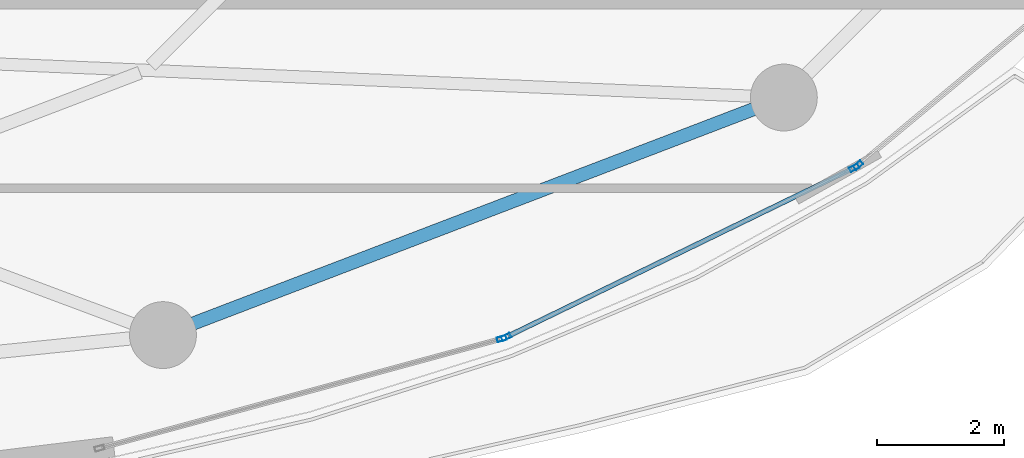
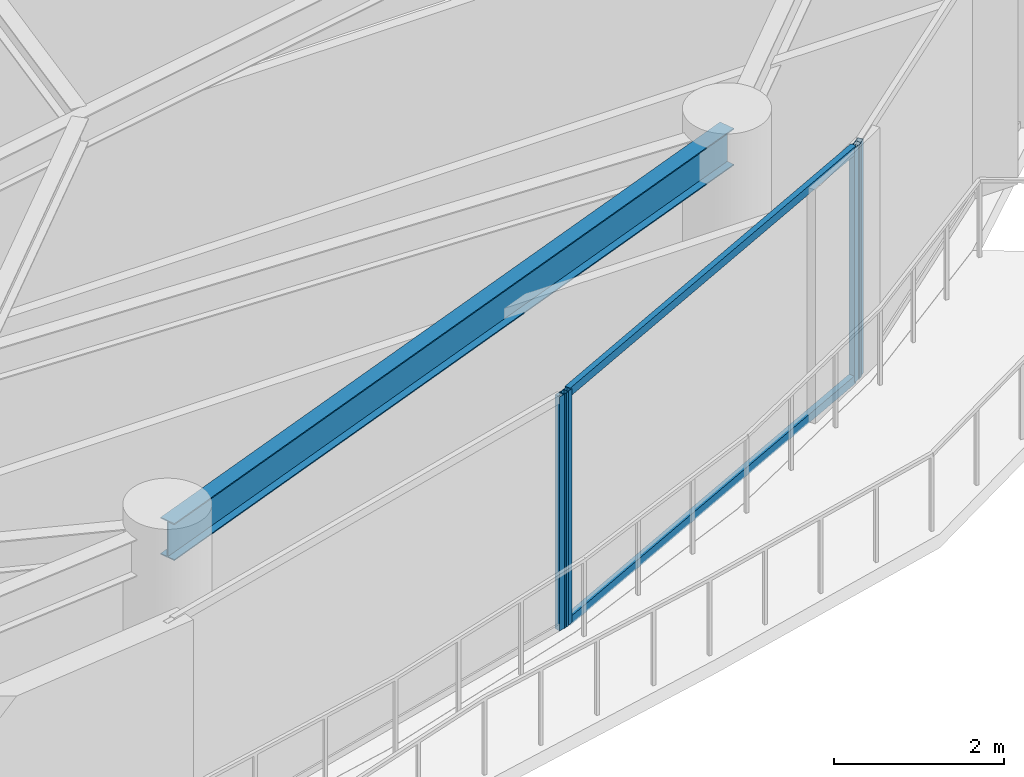
# One storey, part 13 of 31: 6 members, 1 beam, 3 elements without a shape of their own.
"""IFC4 building model written with IfcOpenShell, lengths in metres."""

from ifc_helpers import new_model, si_unit, direction, frame, origin, origin_2d, place, context, subcontext, project, spatial, hollow_rectangle, i_section, extrude, material, layer, layer_set, material_profile, profile_set, type_object, element, aggregate, save


model = new_model("IFC4")

# Units and contexts
model_context = context("Model", 3, precision=1e-05, world=origin(), true_north=direction((0.0, 1.0)))
body_context = subcontext(model_context, "Body", "Model", "MODEL_VIEW")
ifc_project = project(units=[si_unit("LENGTHUNIT", "METRE"), si_unit("AREAUNIT", "SQUARE_METRE"), si_unit("VOLUMEUNIT", "CUBIC_METRE"), si_unit("PLANEANGLEUNIT", "RADIAN"), si_unit("MASSUNIT", "GRAM", prefix="KILO")], contexts=[model_context])

# Site, building, storey
site_placement = place(None, origin())
site = spatial("IfcSite", under=ifc_project, at=site_placement, CompositionType="ELEMENT")
building_placement = place(site_placement, origin())
building = spatial("IfcBuilding", under=site, at=building_placement, Name="Kazevale Care Tower and Concert Hall", CompositionType="ELEMENT")
storey_placement = place(building_placement, frame((0.0, 0.0, 238.800048828125)))
storey = spatial("IfcBuildingStorey", under=building, at=storey_placement, Name="L63", CompositionType="ELEMENT", Elevation=238.800048828125)

# Curtain wall, member
ifc_material_1 = material(Name="Aluminium 6063-T6 and Low-E Glass", Category="aluminium")
ifc_layer = layer(ifc_material_1, 0.179931640625)
ifc_layer_set = layer_set([ifc_layer], Name="Aluminium 6063-T6 and Low-E Glass")
curtain_wall_type = type_object("IfcCurtainWallType", Name="Sheltered Concave Balcony Curtain Wall CW-5", PredefinedType="NOTDEFINED", material=ifc_layer_set)
curtain_wall_1_placement = place(storey_placement, origin())
curtain_wall_1 = element("IfcCurtainWall", 1, at=curtain_wall_1_placement, inside=storey, type_object=curtain_wall_type, Name="cw:L63:f02", PredefinedType="NOTDEFINED")
ifc_material_2 = material(Name="Aluminium 6063-T6", Category="aluminium")
ifc_material_profile_1 = material_profile(ifc_material_2, hollow_rectangle(XDim=0.074951171875, YDim=0.14990234375, WallThickness=0.00390625, at=origin_2d()), Name="ALU75x150x4")
ifc_profile_set_1 = profile_set([ifc_material_profile_1], Name="Aluminium 6063-T6")
member_type_1 = type_object("IfcMemberType", Name="CW-5 Mullion ALU75x150x4", PredefinedType="MULLION", material=ifc_profile_set_1)
member_1_placement = place(storey_placement, frame((67.417724609375, 21.5869140625, 0.0), z_axis=(0.0, 0.0, 1.0), x_axis=(0.639961217204, -0.768407210062, 0.0)))
member_1 = element("IfcMember", 2, at=member_1_placement, type_object=member_type_1, Name="CW-5 mullion 2", PredefinedType="MULLION", context=body_context, shape_type="SweptSolid", body=[
    extrude(hollow_rectangle(XDim=0.074951171875, YDim=0.14990234375, WallThickness=0.00390625, at=origin_2d()), origin(), (0.0, 0.0, 1.0), 3.35986328125),
])
aggregate(curtain_wall_1, [member_1])

# Curtain wall, members
curtain_wall_2_placement = place(storey_placement, origin())
curtain_wall_2 = element("IfcCurtainWall", 3, at=curtain_wall_2_placement, inside=storey, type_object=curtain_wall_type, Name="cw:L63:f03", PredefinedType="NOTDEFINED")
member_2_placement = place(storey_placement, frame((67.355224609375, 21.546630859375, 0.0), z_axis=(0.0, 0.0, 1.0), x_axis=(0.437238357087, -0.89934566163, 0.0)))
member_2 = element("IfcMember", 4, at=member_2_placement, type_object=member_type_1, Name="CW-5 mullion 1", PredefinedType="MULLION", context=body_context, shape_type="SweptSolid", body=[
    extrude(hollow_rectangle(XDim=0.074951171875, YDim=0.14990234375, WallThickness=0.00390625, at=origin_2d()), origin(), (0.0, 0.0, 1.0), 3.35986328125),
])
member_3_placement = place(storey_placement, frame((61.8896484375, 18.889404296875, 0.0), z_axis=(0.0, 0.0, 1.0), x_axis=(0.437238357087, -0.89934566163, 0.0)))
member_3 = element("IfcMember", 5, at=member_3_placement, type_object=member_type_1, Name="CW-5 mullion 2", PredefinedType="MULLION", context=body_context, shape_type="SweptSolid", body=[
    extrude(hollow_rectangle(XDim=0.074951171875, YDim=0.14990234375, WallThickness=0.00390625, at=origin_2d()), origin(), (0.0, 0.0, 1.0), 3.35986328125),
])

# Curtain wall, member
curtain_wall_3_placement = place(storey_placement, origin())
curtain_wall_3 = element("IfcCurtainWall", 6, at=curtain_wall_3_placement, inside=storey, type_object=curtain_wall_type, Name="cw:L63:f04", PredefinedType="NOTDEFINED")
member_4_placement = place(storey_placement, frame((61.81982421875, 18.863037109375, 0.0), z_axis=(0.0, 0.0, 1.0), x_axis=(0.262848968947, -0.964836991167, 0.0)))
member_4 = element("IfcMember", 7, at=member_4_placement, type_object=member_type_1, Name="CW-5 mullion 1", PredefinedType="MULLION", context=body_context, shape_type="SweptSolid", body=[
    extrude(hollow_rectangle(XDim=0.074951171875, YDim=0.14990234375, WallThickness=0.00390625, at=origin_2d()), origin(), (0.0, 0.0, 1.0), 3.35986328125),
])
aggregate(curtain_wall_3, [member_4])

# Member
ifc_material_profile_2 = material_profile(ifc_material_2, hollow_rectangle(XDim=0.074951171875, YDim=0.1201171875, WallThickness=0.00390625, at=origin_2d()), Name="ALU75x120x4")
ifc_profile_set_2 = profile_set([ifc_material_profile_2], Name="Aluminium 6063-T6")
member_type_2 = type_object("IfcMemberType", Name="CW-5 Transom ALU75x120x4", PredefinedType="USERDEFINED", material=ifc_profile_set_2)
member_5_placement = place(storey_placement, frame((67.321533203125, 21.5302734375, 0.037353515625), z_axis=(-0.899342308406, -0.437245254189, 0.0), x_axis=(0.437245254189, -0.899342308406, 0.0)))
member_5 = element("IfcMember", 8, at=member_5_placement, type_object=member_type_2, Name="CW-5 transom 1.1", ObjectType="TRANSOM", PredefinedType="USERDEFINED", context=body_context, shape_type="SweptSolid", body=[
    extrude(hollow_rectangle(XDim=0.074951171875, YDim=0.1201171875, WallThickness=0.00390625, at=origin_2d()), origin(), (0.0, 0.0, 1.0), 6.00244140625),
])

member_6_placement = place(storey_placement, frame((67.321533203125, 21.5302734375, 3.322509765625), z_axis=(-0.899342308406, -0.437245254189, 0.0), x_axis=(0.437245254189, -0.899342308406, 0.0)))
member_6 = element("IfcMember", 9, at=member_6_placement, type_object=member_type_2, Name="CW-5 transom 1.2", ObjectType="TRANSOM", PredefinedType="USERDEFINED", context=body_context, shape_type="SweptSolid", body=[
    extrude(hollow_rectangle(XDim=0.074951171875, YDim=0.1201171875, WallThickness=0.00390625, at=origin_2d()), origin(), (0.0, 0.0, 1.0), 6.00244140625),
])

aggregate(curtain_wall_2, [member_2, member_3, member_5, member_6])

# Beam
ifc_material_3 = material(Name="Steel ASTM A572 Gr 50", Category="steel")
ifc_material_profile_3 = material_profile(ifc_material_3, i_section(OverallWidth=0.208984375, OverallDepth=0.532958984375, WebThickness=0.01025390625, FlangeThickness=0.015625, at=origin_2d()), Name="W530x92")
ifc_profile_set_3 = profile_set([ifc_material_profile_3], Name="Steel ASTM A572 Gr 50")
beam_type = type_object("IfcBeamType", Name="Upper Ring Beam W530x92", PredefinedType="BEAM", material=ifc_profile_set_3)
beam_placement = place(storey_placement, frame((56.5, 18.919921875, 3.093505859375), z_axis=(0.933986653173, 0.357307894811, 0.0), x_axis=(-0.357307894811, 0.933986653173, 0.0)))
element("IfcBeam", 10, at=beam_placement, inside=storey, type_object=beam_type, Name="beam:L63:ring:14", PredefinedType="BEAM", context=body_context, shape_type="SweptSolid", body=[
    extrude(i_section(OverallWidth=0.208984375, OverallDepth=0.532958984375, WebThickness=0.01025390625, FlangeThickness=0.015625, at=origin_2d()), origin(), (0.0, 0.0, 1.0), 10.439208984375),
])

save(model, "model.ifc")
